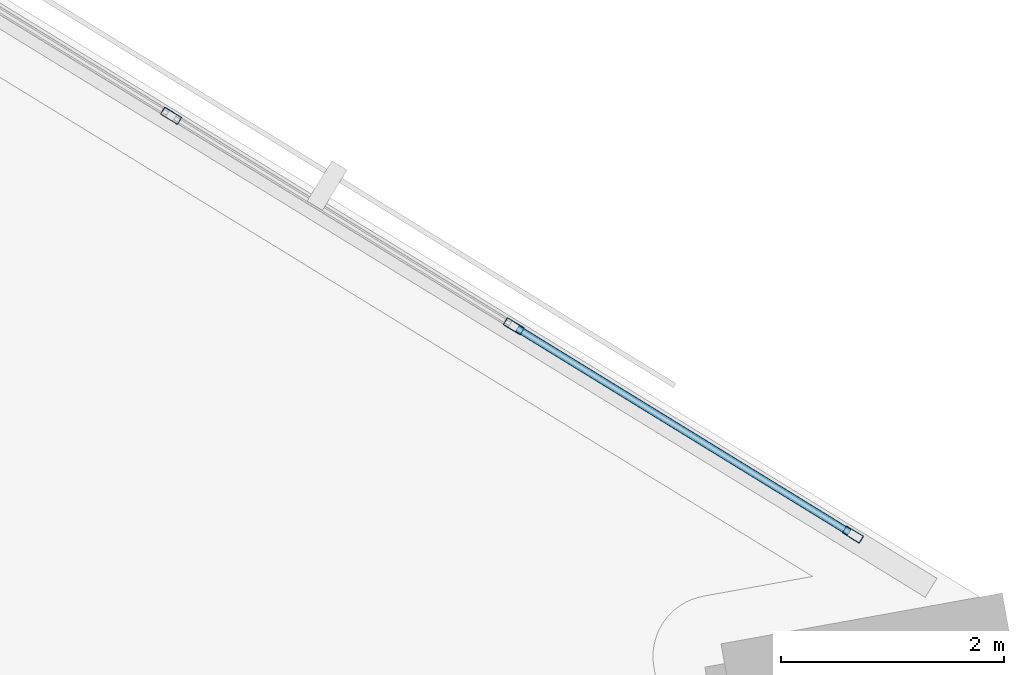
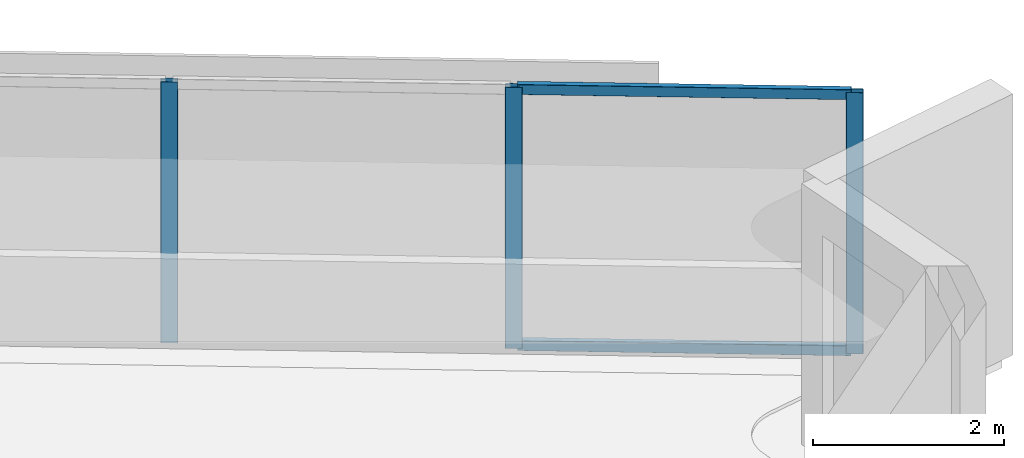
# One storey, part 4 of 19: 5 members, 1 element without a shape of its own.
"""IFC4 building model written with IfcOpenShell, lengths in metres."""

from ifc_helpers import new_model, si_unit, direction, frame, origin, origin_2d, place, context, subcontext, project, spatial, hollow_rectangle, extrude, material, material_profile, profile_set, type_object, element, aggregate, save


model = new_model("IFC4")

# Units and contexts
model_context = context("Model", 3, precision=1e-05, world=origin(), true_north=direction((0.0, 1.0)))
body_context = subcontext(model_context, "Body", "Model", "MODEL_VIEW")
ifc_project = project(units=[si_unit("LENGTHUNIT", "METRE"), si_unit("AREAUNIT", "SQUARE_METRE"), si_unit("VOLUMEUNIT", "CUBIC_METRE"), si_unit("PLANEANGLEUNIT", "RADIAN"), si_unit("MASSUNIT", "GRAM", prefix="KILO")], contexts=[model_context])

# Site, building, storey
site_placement = place(None, origin())
site = spatial("IfcSite", under=ifc_project, at=site_placement, CompositionType="ELEMENT")
building_placement = place(site_placement, origin())
building = spatial("IfcBuilding", under=site, at=building_placement, Name="Narakoshi Arena Tower", CompositionType="ELEMENT")
storey_placement = place(building_placement, frame((0.0, 0.0, 117.300048828125)))
storey = spatial("IfcBuildingStorey", under=building, at=storey_placement, Name="L31", CompositionType="ELEMENT", Elevation=117.300048828125)

# Curtain wall, members
ifc_material = material(Name="Anodised bronze aluminium 6063-T6", Category="aluminium")
curtain_wall_type = type_object("IfcCurtainWallType", Name="CW-HYP-LOW", PredefinedType="NOTDEFINED", material=ifc_material)
curtain_wall_placement = place(storey_placement, origin())
curtain_wall = element("IfcCurtainWall", 1, at=curtain_wall_placement, inside=storey, type_object=curtain_wall_type, Name="L31 Folded Hypotenuse Curtain Wall 1-1", PredefinedType="NOTDEFINED")
ifc_material_profile_1 = material_profile(ifc_material, hollow_rectangle(XDim=0.074951171875, YDim=0.179931640625, WallThickness=0.00390625, OuterFilletRadius=0.0048828125, at=origin_2d()), Name="MUL180x75x4")
ifc_profile_set_1 = profile_set([ifc_material_profile_1], Name="Anodised bronze aluminium 6063-T6")
member_type_1 = type_object("IfcMemberType", Name="MEM-MUL-180", PredefinedType="MULLION", material=ifc_profile_set_1)
member_1_placement = place(storey_placement, frame((119.16259765625, 43.548583984375, 0.0), z_axis=(0.0, 0.0, 1.0), x_axis=(-0.523357676535, -0.852113104237, 0.0)))
member_1 = element("IfcMember", 2, at=member_1_placement, type_object=member_type_1, Name="CW-01 mullion 1", PredefinedType="MULLION", context=body_context, shape_type="SweptSolid", body=[
    extrude(hollow_rectangle(XDim=0.074951171875, YDim=0.179931640625, WallThickness=0.00390625, OuterFilletRadius=0.0048828125, at=origin_2d()), origin(), (0.0, 0.0, 1.0), 3.33984375),
])
member_2_placement = place(storey_placement, frame((116.11767578125, 45.418701171875, 0.0), z_axis=(0.0, 0.0, 1.0), x_axis=(-0.523357676535, -0.852113104237, 0.0)))
member_2 = element("IfcMember", 3, at=member_2_placement, type_object=member_type_1, Name="CW-01 mullion 2", PredefinedType="MULLION", context=body_context, shape_type="SweptSolid", body=[
    extrude(hollow_rectangle(XDim=0.074951171875, YDim=0.179931640625, WallThickness=0.00390625, OuterFilletRadius=0.0048828125, at=origin_2d()), origin(), (0.0, 0.0, 1.0), 3.33984375),
])
member_3_placement = place(storey_placement, frame((113.040771484375, 47.30859375, 0.0), z_axis=(0.0, 0.0, 1.0), x_axis=(-0.523357676535, -0.852113104237, 0.0)))
member_3 = element("IfcMember", 4, at=member_3_placement, type_object=member_type_1, Name="CW-01 mullion 3", PredefinedType="MULLION", context=body_context, shape_type="SweptSolid", body=[
    extrude(hollow_rectangle(XDim=0.074951171875, YDim=0.179931640625, WallThickness=0.00390625, OuterFilletRadius=0.0048828125, at=origin_2d()), origin(), (0.0, 0.0, 1.0), 3.33984375),
])
ifc_material_profile_2 = material_profile(ifc_material, hollow_rectangle(XDim=0.06494140625, YDim=0.1298828125, WallThickness=0.00390625, OuterFilletRadius=0.0048828125, at=origin_2d()), Name="TRN130x65x4")
ifc_profile_set_2 = profile_set([ifc_material_profile_2], Name="Anodised bronze aluminium 6063-T6")
member_type_2 = type_object("IfcMemberType", Name="MEM-TRN-130", PredefinedType="USERDEFINED", material=ifc_profile_set_2)
member_4_placement = place(storey_placement, frame((119.130615234375, 43.568359375, 0.032470703125), z_axis=(-0.852120447829, 0.52334571976, 0.0), x_axis=(-0.52334571976, -0.852120447829, 0.0)))
member_4 = element("IfcMember", 5, at=member_4_placement, type_object=member_type_2, Name="CW-01 transom 1.1", ObjectType="TRANSOM", PredefinedType="USERDEFINED", context=body_context, shape_type="SweptSolid", body=[
    extrude(hollow_rectangle(XDim=0.06494140625, YDim=0.1298828125, WallThickness=0.00390625, OuterFilletRadius=0.0048828125, at=origin_2d()), origin(), (0.0, 0.0, 1.0), 3.498291015625),
])
member_5_placement = place(storey_placement, frame((119.130615234375, 43.568359375, 3.307373046875), z_axis=(-0.852120447829, 0.52334571976, 0.0), x_axis=(-0.52334571976, -0.852120447829, 0.0)))
member_5 = element("IfcMember", 6, at=member_5_placement, type_object=member_type_2, Name="CW-01 transom 1.2", ObjectType="TRANSOM", PredefinedType="USERDEFINED", context=body_context, shape_type="SweptSolid", body=[
    extrude(hollow_rectangle(XDim=0.06494140625, YDim=0.1298828125, WallThickness=0.00390625, OuterFilletRadius=0.0048828125, at=origin_2d()), origin(), (0.0, 0.0, 1.0), 3.498291015625),
])
aggregate(curtain_wall, [member_1, member_2, member_3, member_4, member_5])

save(model, "model.ifc")
